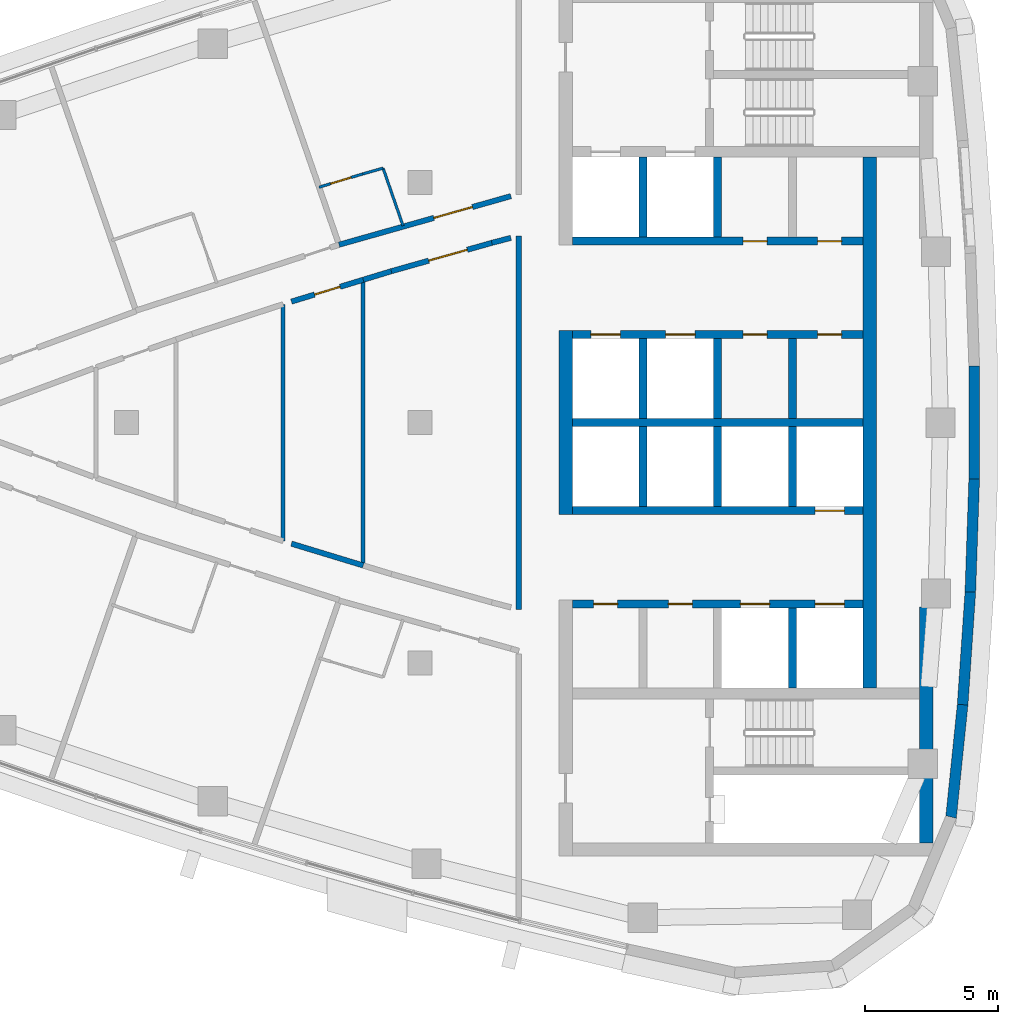
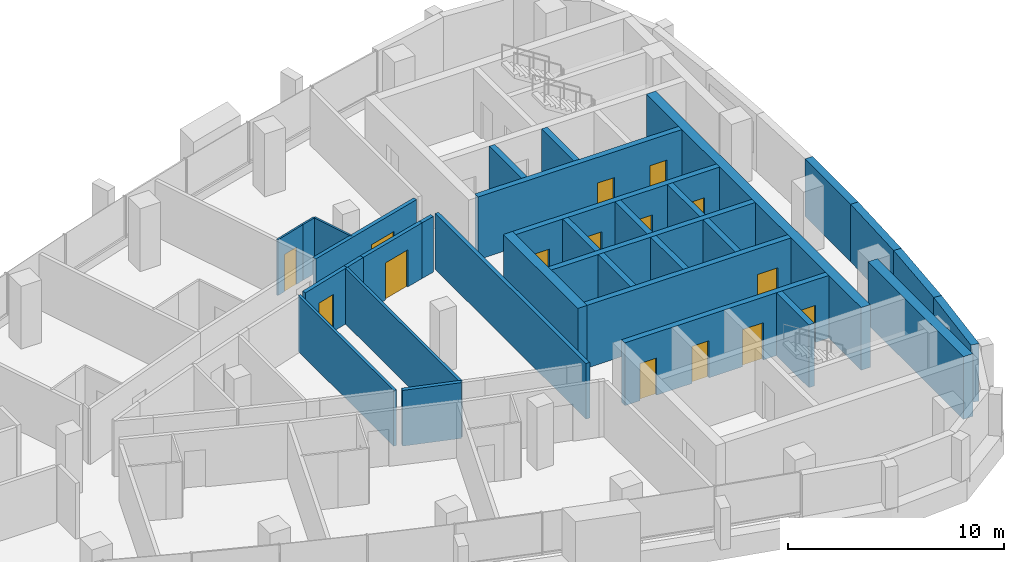
# One storey, part 9 of 14: 33 walls, 15 doors, 15 openings.
"""IFC4 building model written with IfcOpenShell, lengths in metres."""

from ifc_helpers import new_model, si_unit, direction, frame, frame_2d, origin, place, context, subcontext, project, spatial, polyline, rectangle, outline, extrude, material, layer, layer_set, type_object, element, fill, save


model = new_model("IFC4")

# Units and contexts
model_context = context("Model", 3, precision=1e-05, world=origin(), true_north=direction((0.0, 1.0)))
body_context = subcontext(model_context, "Body", "Model", "MODEL_VIEW")
ifc_project = project(units=[si_unit("LENGTHUNIT", "METRE"), si_unit("AREAUNIT", "SQUARE_METRE"), si_unit("VOLUMEUNIT", "CUBIC_METRE"), si_unit("PLANEANGLEUNIT", "RADIAN"), si_unit("MASSUNIT", "GRAM", prefix="KILO")], contexts=[model_context])

# Site, building, storey
site_placement = place(None, origin())
site = spatial("IfcSite", under=ifc_project, at=site_placement, CompositionType="ELEMENT")
building_placement = place(site_placement, origin())
building = spatial("IfcBuilding", under=site, at=building_placement, Name="Ostrand Prow Hotel Tower", CompositionType="ELEMENT")
storey_placement = place(building_placement, frame((0.0, 0.0, 299.85009765625)))
storey = spatial("IfcBuildingStorey", under=building, at=storey_placement, Name="L76", CompositionType="ELEMENT", Elevation=299.85009765625)

# Wall
ifc_material_1 = material(Name="Concrete C50/60", Category="concrete")
ifc_layer_1 = layer(ifc_material_1, 0.300048828125)
ifc_layer_set_1 = layer_set([ifc_layer_1], Name="Concrete C50/60")
wall_type_1 = type_object("IfcWallType", Name="Core wall 300 C50/60", PredefinedType="SHEAR", material=ifc_layer_set_1)
wall_1_placement = place(storey_placement, frame((50.699951171875, 0.0, 0.0), z_axis=(0.0, 0.0, 1.0), x_axis=(1.0, 0.0, 0.0)))
element("IfcWall", 1, at=wall_1_placement, inside=storey, type_object=wall_type_1, Name="Core wall PW-C", PredefinedType="SHEAR", context=body_context, shape_type="SweptSolid", body=[
    extrude(rectangle(XDim=10.900146484375, YDim=0.300048828125, at=frame_2d((5.4501953125, 0.0))), origin(), (0.0, 0.0, 1.0), 3.5498046875),
])

# Wall, openings, doors
wall_2_placement = place(storey_placement, frame((50.699951171875, 3.300048828125, 0.0), z_axis=(0.0, 0.0, 1.0), x_axis=(1.0, 0.0, 0.0)))
wall_2 = element("IfcWall", 2, at=wall_2_placement, inside=storey, type_object=wall_type_1, Name="Core wall PW-L1-N", PredefinedType="SHEAR", context=body_context, shape_type="SweptSolid", body=[
    extrude(rectangle(XDim=10.900146484375, YDim=0.300048828125, at=frame_2d((5.4501953125, 0.0))), origin(), (0.0, 0.0, 1.0), 3.5498046875),
])
opening_1_placement = place(wall_2_placement, frame((0.699951171875, 0.0, 0.0)))
opening_1 = element("IfcOpeningElement", 3, at=opening_1_placement, cuts=wall_2, Name="Opening LD", PredefinedType="OPENING", context=body_context, shape_type="SweptSolid", body=[
    extrude(rectangle(XDim=1.10009765625, YDim=2.10009765625, at=frame_2d((0.550048828125, 1.050048828125))), frame((0.0, 0.159912109375, 0.0), z_axis=(0.0, -1.0, 0.0), x_axis=(1.0, 0.0, 0.0)), (0.0, 0.0, 1.0), 0.320068359375),
])
opening_2_placement = place(wall_2_placement, frame((3.5, 0.0, 0.0)))
opening_2 = element("IfcOpeningElement", 4, at=opening_2_placement, cuts=wall_2, Name="Opening LD", PredefinedType="OPENING", context=body_context, shape_type="SweptSolid", body=[
    extrude(rectangle(XDim=1.10009765625, YDim=2.10009765625, at=frame_2d((0.550048828125, 1.050048828125))), frame((0.0, 0.159912109375, 0.0), z_axis=(0.0, -1.0, 0.0), x_axis=(1.0, 0.0, 0.0)), (0.0, 0.0, 1.0), 0.320068359375),
])
opening_3_placement = place(wall_2_placement, frame((6.39990234375, 0.0, 0.0)))
opening_3 = element("IfcOpeningElement", 5, at=opening_3_placement, cuts=wall_2, Name="Opening FD2", PredefinedType="OPENING", context=body_context, shape_type="SweptSolid", body=[
    extrude(rectangle(XDim=0.89990234375, YDim=2.10009765625, at=frame_2d((0.449951171875, 1.050048828125))), frame((0.0, 0.159912109375, 0.0), z_axis=(0.0, -1.0, 0.0), x_axis=(1.0, 0.0, 0.0)), (0.0, 0.0, 1.0), 0.320068359375),
])
opening_4_placement = place(wall_2_placement, frame((9.199951171875, 0.0, 0.0)))
opening_4 = element("IfcOpeningElement", 6, at=opening_4_placement, cuts=wall_2, Name="Opening FD2", PredefinedType="OPENING", context=body_context, shape_type="SweptSolid", body=[
    extrude(rectangle(XDim=0.89990234375, YDim=2.10009765625, at=frame_2d((0.449951171875, 1.050048828125))), frame((0.0, 0.159912109375, 0.0), z_axis=(0.0, -1.0, 0.0), x_axis=(1.0, 0.0, 0.0)), (0.0, 0.0, 1.0), 0.320068359375),
])
ifc_material_2 = material(Name="Steel fire door", Category="steel")
door_type_1 = type_object("IfcDoorType", Name="Fire door 900 EI120", OperationType="SINGLE_SWING_LEFT", PredefinedType="DOOR", material=ifc_material_2)
door_1_placement = place(opening_3_placement, origin())
door_1 = element("IfcDoor", 7, at=door_1_placement, inside=storey, type_object=door_type_1, Name="DOOR", OperationType="SINGLE_SWING_LEFT", OverallHeight=2.10009765625, OverallWidth=0.89990234375, PredefinedType="DOOR", context=body_context, shape_type="SweptSolid", body=[
    extrude(rectangle(XDim=0.89990234375, YDim=2.10009765625, at=frame_2d((0.449951171875, 1.050048828125))), frame((0.0, 0.02490234375, 0.0), z_axis=(0.0, -1.0, 0.0), x_axis=(1.0, 0.0, 0.0)), (0.0, 0.0, 1.0), 0.050048828125),
])
fill(opening_3, door_1)
door_2_placement = place(opening_4_placement, origin())
door_2 = element("IfcDoor", 8, at=door_2_placement, inside=storey, type_object=door_type_1, Name="DOOR", OperationType="SINGLE_SWING_LEFT", OverallHeight=2.10009765625, OverallWidth=0.89990234375, PredefinedType="DOOR", context=body_context, shape_type="SweptSolid", body=[
    extrude(rectangle(XDim=0.89990234375, YDim=2.10009765625, at=frame_2d((0.449951171875, 1.050048828125))), frame((0.0, 0.02490234375, 0.0), z_axis=(0.0, -1.0, 0.0), x_axis=(1.0, 0.0, 0.0)), (0.0, 0.0, 1.0), 0.050048828125),
])
fill(opening_4, door_2)
ifc_material_3 = material(Name="Stainless steel door", Category="steel")
door_type_2 = type_object("IfcDoorType", Name="Lift landing door 1100", OperationType="DOUBLE_DOOR_SLIDING", PredefinedType="DOOR", material=ifc_material_3)
door_3_placement = place(opening_1_placement, origin())
door_3 = element("IfcDoor", 9, at=door_3_placement, inside=storey, type_object=door_type_2, Name="LIFT LANDING DOOR", OperationType="DOUBLE_DOOR_SLIDING", OverallHeight=2.10009765625, OverallWidth=1.10009765625, PredefinedType="DOOR", context=body_context, shape_type="SweptSolid", body=[
    extrude(rectangle(XDim=1.10009765625, YDim=2.10009765625, at=frame_2d((0.550048828125, 1.050048828125))), frame((0.0, 0.02490234375, 0.0), z_axis=(0.0, -1.0, 0.0), x_axis=(1.0, 0.0, 0.0)), (0.0, 0.0, 1.0), 0.050048828125),
])
fill(opening_1, door_3)
door_4_placement = place(opening_2_placement, origin())
door_4 = element("IfcDoor", 10, at=door_4_placement, inside=storey, type_object=door_type_2, Name="LIFT LANDING DOOR", OperationType="DOUBLE_DOOR_SLIDING", OverallHeight=2.10009765625, OverallWidth=1.10009765625, PredefinedType="DOOR", context=body_context, shape_type="SweptSolid", body=[
    extrude(rectangle(XDim=1.10009765625, YDim=2.10009765625, at=frame_2d((0.550048828125, 1.050048828125))), frame((0.0, 0.02490234375, 0.0), z_axis=(0.0, -1.0, 0.0), x_axis=(1.0, 0.0, 0.0)), (0.0, 0.0, 1.0), 0.050048828125),
])
fill(opening_2, door_4)

wall_3_placement = place(storey_placement, frame((50.699951171875, 6.800048828125, 0.0), z_axis=(0.0, 0.0, 1.0), x_axis=(1.0, 0.0, 0.0)))
wall_3 = element("IfcWall", 11, at=wall_3_placement, inside=storey, type_object=wall_type_1, Name="Core wall PW-L2-N", PredefinedType="SHEAR", context=body_context, shape_type="SweptSolid", body=[
    extrude(rectangle(XDim=10.900146484375, YDim=0.300048828125, at=frame_2d((5.4501953125, 0.0))), origin(), (0.0, 0.0, 1.0), 3.5498046875),
])
opening_5_placement = place(wall_3_placement, frame((6.39990234375, 0.0, 0.0)))
opening_5 = element("IfcOpeningElement", 12, at=opening_5_placement, cuts=wall_3, Name="Opening FD2", PredefinedType="OPENING", context=body_context, shape_type="SweptSolid", body=[
    extrude(rectangle(XDim=0.89990234375, YDim=2.10009765625, at=frame_2d((0.449951171875, 1.050048828125))), frame((0.0, 0.159912109375, 0.0), z_axis=(0.0, -1.0, 0.0), x_axis=(1.0, 0.0, 0.0)), (0.0, 0.0, 1.0), 0.320068359375),
])
opening_6_placement = place(wall_3_placement, frame((9.199951171875, 0.0, 0.0)))
opening_6 = element("IfcOpeningElement", 13, at=opening_6_placement, cuts=wall_3, Name="Opening FD2", PredefinedType="OPENING", context=body_context, shape_type="SweptSolid", body=[
    extrude(rectangle(XDim=0.89990234375, YDim=2.10009765625, at=frame_2d((0.449951171875, 1.050048828125))), frame((0.0, 0.159912109375, 0.0), z_axis=(0.0, -1.0, 0.0), x_axis=(1.0, 0.0, 0.0)), (0.0, 0.0, 1.0), 0.320068359375),
])
door_5_placement = place(opening_5_placement, origin())
door_5 = element("IfcDoor", 14, at=door_5_placement, inside=storey, type_object=door_type_1, Name="DOOR", OperationType="SINGLE_SWING_LEFT", OverallHeight=2.10009765625, OverallWidth=0.89990234375, PredefinedType="DOOR", context=body_context, shape_type="SweptSolid", body=[
    extrude(rectangle(XDim=0.89990234375, YDim=2.10009765625, at=frame_2d((0.449951171875, 1.050048828125))), frame((0.0, 0.02490234375, 0.0), z_axis=(0.0, -1.0, 0.0), x_axis=(1.0, 0.0, 0.0)), (0.0, 0.0, 1.0), 0.050048828125),
])
fill(opening_5, door_5)
door_6_placement = place(opening_6_placement, origin())
door_6 = element("IfcDoor", 15, at=door_6_placement, inside=storey, type_object=door_type_1, Name="DOOR", OperationType="SINGLE_SWING_LEFT", OverallHeight=2.10009765625, OverallWidth=0.89990234375, PredefinedType="DOOR", context=body_context, shape_type="SweptSolid", body=[
    extrude(rectangle(XDim=0.89990234375, YDim=2.10009765625, at=frame_2d((0.449951171875, 1.050048828125))), frame((0.0, 0.02490234375, 0.0), z_axis=(0.0, -1.0, 0.0), x_axis=(1.0, 0.0, 0.0)), (0.0, 0.0, 1.0), 0.050048828125),
])
fill(opening_6, door_6)

# Walls
for number, where, z_axis, x_axis, name in (
    (16, (53.35009765625, 0.14990234375, 0.0), (0.0, 0.0, 1.0), (0.0, 1.0, 0.0), "Core wall PW-R1-NB"),
    (17, (53.35009765625, 6.949951171875, 0.0), (0.0, 0.0, 1.0), (0.0, 1.0, 0.0), "Core wall PW-R1-NA"),
    (18, (56.14990234375, 0.14990234375, 0.0), (0.0, 0.0, 1.0), (0.0, 1.0, 0.0), "Core wall PW-R2-NB"),
    (19, (56.14990234375, 6.949951171875, 0.0), (0.0, 0.0, 1.0), (0.0, 1.0, 0.0), "Core wall PW-R2-NA"),
    (20, (58.949951171875, 0.14990234375, 0.0), (0.0, 0.0, 1.0), (0.0, 1.0, 0.0), "Core wall PW-R3-NB"),
):
    element("IfcWall", number, at=place(storey_placement, frame(where, z_axis=z_axis, x_axis=x_axis)), inside=storey, type_object=wall_type_1, Name=name, PredefinedType="SHEAR", context=body_context, shape_type="SweptSolid", body=[
        extrude(rectangle(XDim=3.0, YDim=0.300048828125, at=frame_2d((1.5, 0.0))), origin(), (0.0, 0.0, 1.0), 3.5498046875),
    ])

# Wall, opening, door
wall_4_placement = place(storey_placement, frame((50.699951171875, -3.300048828125, 0.0), z_axis=(0.0, 0.0, 1.0), x_axis=(1.0, 0.0, 0.0)))
wall_4 = element("IfcWall", 21, at=wall_4_placement, inside=storey, type_object=wall_type_1, Name="Core wall PW-L1-S", PredefinedType="SHEAR", context=body_context, shape_type="SweptSolid", body=[
    extrude(rectangle(XDim=10.900146484375, YDim=0.300048828125, at=frame_2d((5.4501953125, 0.0))), origin(), (0.0, 0.0, 1.0), 3.5498046875),
])
opening_7_placement = place(wall_4_placement, frame((9.10009765625, 0.0, 0.0)))
opening_7 = element("IfcOpeningElement", 22, at=opening_7_placement, cuts=wall_4, Name="Opening LD", PredefinedType="OPENING", context=body_context, shape_type="SweptSolid", body=[
    extrude(rectangle(XDim=1.10009765625, YDim=2.10009765625, at=frame_2d((0.550048828125, 1.050048828125))), frame((0.0, 0.159912109375, 0.0), z_axis=(0.0, -1.0, 0.0), x_axis=(1.0, 0.0, 0.0)), (0.0, 0.0, 1.0), 0.320068359375),
])
door_7_placement = place(opening_7_placement, origin())
door_7 = element("IfcDoor", 23, at=door_7_placement, inside=storey, type_object=door_type_2, Name="LIFT LANDING DOOR", OperationType="DOUBLE_DOOR_SLIDING", OverallHeight=2.10009765625, OverallWidth=1.10009765625, PredefinedType="DOOR", context=body_context, shape_type="SweptSolid", body=[
    extrude(rectangle(XDim=1.10009765625, YDim=2.10009765625, at=frame_2d((0.550048828125, 1.050048828125))), frame((0.0, 0.02490234375, 0.0), z_axis=(0.0, -1.0, 0.0), x_axis=(1.0, 0.0, 0.0)), (0.0, 0.0, 1.0), 0.050048828125),
])
fill(opening_7, door_7)

# Wall, openings, doors
wall_5_placement = place(storey_placement, frame((50.699951171875, -6.800048828125, 0.0), z_axis=(0.0, 0.0, 1.0), x_axis=(1.0, 0.0, 0.0)))
wall_5 = element("IfcWall", 24, at=wall_5_placement, inside=storey, type_object=wall_type_1, Name="Core wall PW-L2-S", PredefinedType="SHEAR", context=body_context, shape_type="SweptSolid", body=[
    extrude(rectangle(XDim=10.900146484375, YDim=0.300048828125, at=frame_2d((5.4501953125, 0.0))), origin(), (0.0, 0.0, 1.0), 3.5498046875),
])
opening_8_placement = place(wall_5_placement, frame((6.300048828125, 0.0, 0.0)))
opening_8 = element("IfcOpeningElement", 25, at=opening_8_placement, cuts=wall_5, Name="Opening LD", PredefinedType="OPENING", context=body_context, shape_type="SweptSolid", body=[
    extrude(rectangle(XDim=1.10009765625, YDim=2.10009765625, at=frame_2d((0.550048828125, 1.050048828125))), frame((0.0, 0.159912109375, 0.0), z_axis=(0.0, -1.0, 0.0), x_axis=(1.0, 0.0, 0.0)), (0.0, 0.0, 1.0), 0.320068359375),
])
opening_9_placement = place(wall_5_placement, frame((9.10009765625, 0.0, 0.0)))
opening_9 = element("IfcOpeningElement", 26, at=opening_9_placement, cuts=wall_5, Name="Opening LD", PredefinedType="OPENING", context=body_context, shape_type="SweptSolid", body=[
    extrude(rectangle(XDim=1.10009765625, YDim=2.10009765625, at=frame_2d((0.550048828125, 1.050048828125))), frame((0.0, 0.159912109375, 0.0), z_axis=(0.0, -1.0, 0.0), x_axis=(1.0, 0.0, 0.0)), (0.0, 0.0, 1.0), 0.320068359375),
])
opening_10_placement = place(wall_5_placement, frame((0.800048828125, 0.0, 0.0)))
opening_10 = element("IfcOpeningElement", 27, at=opening_10_placement, cuts=wall_5, Name="Opening FD2", PredefinedType="OPENING", context=body_context, shape_type="SweptSolid", body=[
    extrude(rectangle(XDim=0.89990234375, YDim=2.10009765625, at=frame_2d((0.449951171875, 1.050048828125))), frame((0.0, 0.159912109375, 0.0), z_axis=(0.0, -1.0, 0.0), x_axis=(1.0, 0.0, 0.0)), (0.0, 0.0, 1.0), 0.320068359375),
])
opening_11_placement = place(wall_5_placement, frame((3.60009765625, 0.0, 0.0)))
opening_11 = element("IfcOpeningElement", 28, at=opening_11_placement, cuts=wall_5, Name="Opening FD2", PredefinedType="OPENING", context=body_context, shape_type="SweptSolid", body=[
    extrude(rectangle(XDim=0.89990234375, YDim=2.10009765625, at=frame_2d((0.449951171875, 1.050048828125))), frame((0.0, 0.159912109375, 0.0), z_axis=(0.0, -1.0, 0.0), x_axis=(1.0, 0.0, 0.0)), (0.0, 0.0, 1.0), 0.320068359375),
])
door_8_placement = place(opening_10_placement, origin())
door_8 = element("IfcDoor", 29, at=door_8_placement, inside=storey, type_object=door_type_1, Name="DOOR", OperationType="SINGLE_SWING_LEFT", OverallHeight=2.10009765625, OverallWidth=0.89990234375, PredefinedType="DOOR", context=body_context, shape_type="SweptSolid", body=[
    extrude(rectangle(XDim=0.89990234375, YDim=2.10009765625, at=frame_2d((0.449951171875, 1.050048828125))), frame((0.0, 0.02490234375, 0.0), z_axis=(0.0, -1.0, 0.0), x_axis=(1.0, 0.0, 0.0)), (0.0, 0.0, 1.0), 0.050048828125),
])
fill(opening_10, door_8)
door_9_placement = place(opening_11_placement, origin())
door_9 = element("IfcDoor", 30, at=door_9_placement, inside=storey, type_object=door_type_1, Name="DOOR", OperationType="SINGLE_SWING_LEFT", OverallHeight=2.10009765625, OverallWidth=0.89990234375, PredefinedType="DOOR", context=body_context, shape_type="SweptSolid", body=[
    extrude(rectangle(XDim=0.89990234375, YDim=2.10009765625, at=frame_2d((0.449951171875, 1.050048828125))), frame((0.0, 0.02490234375, 0.0), z_axis=(0.0, -1.0, 0.0), x_axis=(1.0, 0.0, 0.0)), (0.0, 0.0, 1.0), 0.050048828125),
])
fill(opening_11, door_9)
door_10_placement = place(opening_8_placement, origin())
door_10 = element("IfcDoor", 31, at=door_10_placement, inside=storey, type_object=door_type_2, Name="LIFT LANDING DOOR", OperationType="DOUBLE_DOOR_SLIDING", OverallHeight=2.10009765625, OverallWidth=1.10009765625, PredefinedType="DOOR", context=body_context, shape_type="SweptSolid", body=[
    extrude(rectangle(XDim=1.10009765625, YDim=2.10009765625, at=frame_2d((0.550048828125, 1.050048828125))), frame((0.0, 0.02490234375, 0.0), z_axis=(0.0, -1.0, 0.0), x_axis=(1.0, 0.0, 0.0)), (0.0, 0.0, 1.0), 0.050048828125),
])
fill(opening_8, door_10)
door_11_placement = place(opening_9_placement, origin())
door_11 = element("IfcDoor", 32, at=door_11_placement, inside=storey, type_object=door_type_2, Name="LIFT LANDING DOOR", OperationType="DOUBLE_DOOR_SLIDING", OverallHeight=2.10009765625, OverallWidth=1.10009765625, PredefinedType="DOOR", context=body_context, shape_type="SweptSolid", body=[
    extrude(rectangle(XDim=1.10009765625, YDim=2.10009765625, at=frame_2d((0.550048828125, 1.050048828125))), frame((0.0, 0.02490234375, 0.0), z_axis=(0.0, -1.0, 0.0), x_axis=(1.0, 0.0, 0.0)), (0.0, 0.0, 1.0), 0.050048828125),
])
fill(opening_9, door_11)

# Walls
for number, where, z_axis, x_axis, name in (
    (33, (53.35009765625, -3.14990234375, 0.0), (0.0, 0.0, 1.0), (0.0, 1.0, 0.0), "Core wall PW-R1-SB"),
    (34, (56.14990234375, -3.14990234375, 0.0), (0.0, 0.0, 1.0), (0.0, 1.0, 0.0), "Core wall PW-R2-SB"),
    (35, (58.949951171875, -3.14990234375, 0.0), (0.0, 0.0, 1.0), (0.0, 1.0, 0.0), "Core wall PW-R3-SB"),
    (36, (58.949951171875, -9.949951171875, 0.0), (0.0, 0.0, 1.0), (0.0, 1.0, 0.0), "Core wall PW-R3-SA"),
):
    element("IfcWall", number, at=place(storey_placement, frame(where, z_axis=z_axis, x_axis=x_axis)), inside=storey, type_object=wall_type_1, Name=name, PredefinedType="SHEAR", context=body_context, shape_type="SweptSolid", body=[
        extrude(rectangle(XDim=3.0, YDim=0.300048828125, at=frame_2d((1.5, 0.0))), origin(), (0.0, 0.0, 1.0), 3.5498046875),
    ])
ifc_material_4 = material(Name="Concrete C50/60", Category="concrete")
ifc_layer_2 = layer(ifc_material_4, 0.5)
ifc_layer_set_2 = layer_set([ifc_layer_2], Name="Concrete C50/60")
wall_type_2 = type_object("IfcWallType", Name="Core wall 500 C50/60", PredefinedType="SHEAR", material=ifc_layer_set_2)
wall_6_placement = place(storey_placement, frame((50.449951171875, -3.449951171875, 0.0), z_axis=(0.0, 0.0, 1.0), x_axis=(0.0, 1.0, 0.0)))
element("IfcWall", 37, at=wall_6_placement, inside=storey, type_object=wall_type_2, Name="Core wall CW-W-C", PredefinedType="SHEAR", context=body_context, shape_type="SweptSolid", body=[
    extrude(rectangle(XDim=6.89990234375, YDim=0.5, at=frame_2d((3.449951171875, 0.0))), origin(), (0.0, 0.0, 1.0), 3.5498046875),
])
wall_7_placement = place(storey_placement, frame((63.969970703125, -15.75, 0.0), z_axis=(0.0, 0.0, 1.0), x_axis=(0.0, 1.0, 0.0)))
element("IfcWall", 38, at=wall_7_placement, inside=storey, type_object=wall_type_2, Name="Core wall CW-E-S", PredefinedType="SHEAR", context=body_context, shape_type="SweptSolid", body=[
    extrude(rectangle(XDim=8.8466796875, YDim=0.5, at=frame_2d((4.42333984375, 0.0))), origin(), (0.0, 0.0, 1.0), 3.5498046875),
])
wall_8_placement = place(storey_placement, frame((61.85009765625, -9.949951171875, 0.0), z_axis=(0.0, 0.0, 1.0), x_axis=(0.0, 1.0, 0.0)))
element("IfcWall", 39, at=wall_8_placement, inside=storey, type_object=wall_type_2, Name="Core wall CW-E-C", PredefinedType="SHEAR", context=body_context, shape_type="SweptSolid", body=[
    extrude(rectangle(XDim=19.89990234375, YDim=0.5, at=frame_2d((9.949951171875, 0.0))), origin(), (0.0, 0.0, 1.0), 3.5498046875),
])

# Wall, opening, door
ifc_material_5 = material(Name="Plasterboard partition")
ifc_layer_3 = layer(ifc_material_5, 0.10009765625)
ifc_layer_set_3 = layer_set([ifc_layer_3], Name="Plasterboard partition")
wall_type_3 = type_object("IfcWallType", Name="Partition 100 bathroom wall", PredefinedType="PARTITIONING", material=ifc_layer_set_3)
wall_9_placement = place(storey_placement, frame((41.2109375, 8.822998046875, 0.0), z_axis=(0.0, 0.0, 1.0), x_axis=(0.95674463014, 0.290929050971, 0.0)))
wall_9 = element("IfcWall", 40, at=wall_9_placement, inside=storey, type_object=wall_type_3, Name="BATHROOM WALL", PredefinedType="PARTITIONING", context=body_context, shape_type="SweptSolid", body=[
    extrude(rectangle(XDim=1.712646484375, YDim=0.10009765625, at=frame_2d((0.8564453125, 0.0))), origin(), (0.0, 0.0, 1.0), 3.14990234375),
])
opening_12_placement = place(wall_9_placement, frame((0.449951171875, 0.0, 0.0)))
opening_12 = element("IfcOpeningElement", 41, at=opening_12_placement, cuts=wall_9, Name="Opening D2", PredefinedType="OPENING", context=body_context, shape_type="SweptSolid", body=[
    extrude(rectangle(XDim=0.800048828125, YDim=2.10009765625, at=frame_2d((0.39990234375, 1.050048828125))), frame((0.0, 0.06005859375, 0.0), z_axis=(0.0, -1.0, 0.0), x_axis=(1.0, 0.0, 0.0)), (0.0, 0.0, 1.0), 0.1201171875),
])
ifc_material_6 = material(Name="Timber door leaf", Category="wood")
door_type_3 = type_object("IfcDoorType", Name="Bathroom door 800", OperationType="SINGLE_SWING_LEFT", PredefinedType="DOOR", material=ifc_material_6)
door_12_placement = place(opening_12_placement, origin())
door_12 = element("IfcDoor", 42, at=door_12_placement, inside=storey, type_object=door_type_3, Name="DOOR", OperationType="SINGLE_SWING_LEFT", OverallHeight=2.10009765625, OverallWidth=0.800048828125, PredefinedType="DOOR", context=body_context, shape_type="SweptSolid", body=[
    extrude(rectangle(XDim=0.800048828125, YDim=2.10009765625, at=frame_2d((0.39990234375, 1.050048828125))), frame((0.0, 0.02490234375, 0.0), z_axis=(0.0, -1.0, 0.0), x_axis=(1.0, 0.0, 0.0)), (0.0, 0.0, 1.0), 0.050048828125),
])
fill(opening_12, door_12)

# Walls
wall_10_placement = place(storey_placement, frame((42.849609375, 9.3212890625, 0.0), z_axis=(0.0, 0.0, 1.0), x_axis=(0.962370937031, 0.271739175603, 0.0)))
element("IfcWall", 43, at=wall_10_placement, inside=storey, type_object=wall_type_3, Name="BATHROOM WALL", PredefinedType="PARTITIONING", context=body_context, shape_type="SweptSolid", body=[
    extrude(rectangle(XDim=0.789794921875, YDim=0.10009765625, at=frame_2d((0.39501953125, 0.0))), origin(), (0.0, 0.0, 1.0), 3.14990234375),
])
wall_11_placement = place(storey_placement, frame((43.609619140625, 9.535888671875, 0.0), z_axis=(0.0, 0.0, 1.0), x_axis=(0.32773175909, -0.944770815639, 0.0)))
element("IfcWall", 44, at=wall_11_placement, inside=storey, type_object=wall_type_3, Name="BATHROOM WALL", PredefinedType="PARTITIONING", context=body_context, shape_type="SweptSolid", body=[
    extrude(rectangle(XDim=2.281005859375, YDim=0.10009765625, at=frame_2d((1.140625, 0.0))), origin(), (0.0, 0.0, 1.0), 3.14990234375),
])
ifc_material_7 = material(Name="Plasterboard partition")
ifc_layer_4 = layer(ifc_material_7, 0.14990234375)
ifc_layer_set_4 = layer_set([ifc_layer_4], Name="Plasterboard partition")
wall_type_4 = type_object("IfcWallType", Name="Partition 150 room partition", PredefinedType="PARTITIONING", material=ifc_layer_set_4)
wall_12_placement = place(storey_placement, frame((39.865966796875, -4.435302734375, 0.0), z_axis=(0.0, 0.0, 1.0), x_axis=(0.0, 1.0, 0.0)))
element("IfcWall", 45, at=wall_12_placement, inside=storey, type_object=wall_type_4, Name="ROOM PARTITION", PredefinedType="PARTITIONING", context=body_context, shape_type="SweptSolid", body=[
    extrude(rectangle(XDim=8.87060546875, YDim=0.14990234375, at=frame_2d((4.435302734375, 0.0))), origin(), (0.0, 0.0, 1.0), 3.14990234375),
])
wall_13_placement = place(storey_placement, frame((42.865966796875, -5.3544921875, 0.0), z_axis=(0.0, 0.0, 1.0), x_axis=(0.0, 1.0, 0.0)))
element("IfcWall", 46, at=wall_13_placement, inside=storey, type_object=wall_type_4, Name="ROOM PARTITION", PredefinedType="PARTITIONING", context=body_context, shape_type="SweptSolid", body=[
    extrude(rectangle(XDim=10.708984375, YDim=0.14990234375, at=frame_2d((5.3544921875, 0.0))), origin(), (0.0, 0.0, 1.0), 3.14990234375),
])

# Wall, opening, door
ifc_material_8 = material(Name="Plasterboard partition")
ifc_layer_5 = layer(ifc_material_8, 0.199951171875)
ifc_layer_set_5 = layer_set([ifc_layer_5], Name="Plasterboard partition")
wall_type_5 = type_object("IfcWallType", Name="Partition 200 corridor wall", PredefinedType="PARTITIONING", material=ifc_layer_set_5)
wall_14_placement = place(storey_placement, frame((40.1748046875, 4.5361328125, 0.0), z_axis=(0.0, 0.0, 1.0), x_axis=(0.956742178936, 0.290937111838, 0.0)))
wall_14 = element("IfcWall", 47, at=wall_14_placement, inside=storey, type_object=wall_type_5, Name="CORRIDOR WALL", PredefinedType="PARTITIONING", context=body_context, shape_type="SweptSolid", body=[
    extrude(rectangle(XDim=2.812744140625, YDim=0.199951171875, at=frame_2d((1.40625, 0.0))), origin(), (0.0, 0.0, 1.0), 3.14990234375),
])
opening_13_placement = place(wall_14_placement, frame((0.906494140625, 0.0, 0.0)))
opening_13 = element("IfcOpeningElement", 48, at=opening_13_placement, cuts=wall_14, Name="Opening D1", PredefinedType="OPENING", context=body_context, shape_type="SweptSolid", body=[
    extrude(rectangle(XDim=1.0, YDim=2.10009765625, at=frame_2d((0.5, 1.050048828125))), frame((0.0, 0.10986328125, 0.0), z_axis=(0.0, -1.0, 0.0), x_axis=(1.0, 0.0, 0.0)), (0.0, 0.0, 1.0), 0.219970703125),
])
ifc_material_9 = material(Name="Timber door leaf", Category="wood")
door_type_4 = type_object("IfcDoorType", Name="Guest room door 1000", OperationType="SINGLE_SWING_LEFT", PredefinedType="DOOR", material=ifc_material_9)
door_13_placement = place(opening_13_placement, origin())
door_13 = element("IfcDoor", 49, at=door_13_placement, inside=storey, type_object=door_type_4, Name="DOOR", OperationType="SINGLE_SWING_LEFT", OverallHeight=2.10009765625, OverallWidth=1.0, PredefinedType="DOOR", context=body_context, shape_type="SweptSolid", body=[
    extrude(rectangle(XDim=1.0, YDim=2.10009765625, at=frame_2d((0.5, 1.050048828125))), frame((0.0, 0.02490234375, 0.0), z_axis=(0.0, -1.0, 0.0), x_axis=(1.0, 0.0, 0.0)), (0.0, 0.0, 1.0), 0.050048828125),
])
fill(opening_13, door_13)

# Wall
wall_15_placement = place(storey_placement, frame((42.865966796875, -5.3544921875, 0.0), z_axis=(0.0, 0.0, 1.0), x_axis=(-0.956742178936, 0.290937111838, 0.0)))
element("IfcWall", 50, at=wall_15_placement, inside=storey, type_object=wall_type_5, Name="CORRIDOR WALL", PredefinedType="PARTITIONING", context=body_context, shape_type="SweptSolid", body=[
    extrude(rectangle(XDim=2.812744140625, YDim=0.199951171875, at=frame_2d((1.40625, 0.0))), origin(), (0.0, 0.0, 1.0), 3.14990234375),
])

# Wall, opening, door
wall_16_placement = place(storey_placement, frame((43.91845703125, 5.6748046875, 0.0), z_axis=(0.0, 0.0, 1.0), x_axis=(0.962411212211, 0.271596499628, 0.0)))
wall_16 = element("IfcWall", 51, at=wall_16_placement, inside=storey, type_object=wall_type_5, Name="CORRIDOR WALL", PredefinedType="PARTITIONING", context=body_context, shape_type="SweptSolid", body=[
    extrude(rectangle(XDim=3.912841796875, YDim=0.199951171875, at=frame_2d((1.95654296875, 0.0))), origin(), (0.0, 0.0, 1.0), 3.14990234375),
])
opening_14_placement = place(wall_16_placement, frame((1.45654296875, 0.0, 0.0)))
opening_14 = element("IfcOpeningElement", 52, at=opening_14_placement, cuts=wall_16, Name="Opening D15", PredefinedType="OPENING", context=body_context, shape_type="SweptSolid", body=[
    extrude(rectangle(XDim=1.5, YDim=2.10009765625, at=frame_2d((0.75, 1.050048828125))), frame((0.0, 0.10986328125, 0.0), z_axis=(0.0, -1.0, 0.0), x_axis=(1.0, 0.0, 0.0)), (0.0, 0.0, 1.0), 0.219970703125),
])
ifc_material_10 = material(Name="Timber door leaf", Category="wood")
door_type_5 = type_object("IfcDoorType", Name="Double door 1500", OperationType="DOUBLE_DOOR_SINGLE_SWING", PredefinedType="DOOR", material=ifc_material_10)
door_14_placement = place(opening_14_placement, origin())
door_14 = element("IfcDoor", 53, at=door_14_placement, inside=storey, type_object=door_type_5, Name="DOOR", OperationType="DOUBLE_DOOR_SINGLE_SWING", OverallHeight=2.10009765625, OverallWidth=1.5, PredefinedType="DOOR", context=body_context, shape_type="SweptSolid", body=[
    extrude(rectangle(XDim=1.5, YDim=2.10009765625, at=frame_2d((0.75, 1.050048828125))), frame((0.0, 0.02490234375, 0.0), z_axis=(0.0, -1.0, 0.0), x_axis=(1.0, 0.0, 0.0)), (0.0, 0.0, 1.0), 0.050048828125),
])
fill(opening_14, door_14)

# Wall
wall_17_placement = place(storey_placement, frame((42.865966796875, 5.3544921875, 0.0), z_axis=(0.0, 0.0, 1.0), x_axis=(0.956676567943, 0.291152785233, 0.0)))
element("IfcWall", 54, at=wall_17_placement, inside=storey, type_object=wall_type_5, Name="CORRIDOR WALL", PredefinedType="PARTITIONING", context=body_context, shape_type="SweptSolid", body=[
    extrude(rectangle(XDim=1.10009765625, YDim=0.199951171875, at=frame_2d((0.550048828125, 0.0))), origin(), (0.0, 0.0, 1.0), 3.14990234375),
])

# Wall, opening, door
wall_18_placement = place(storey_placement, frame((48.39990234375, 8.48828125, 0.0), z_axis=(0.0, 0.0, 1.0), x_axis=(-0.962293631271, -0.272012807081, 0.0)))
wall_18 = element("IfcWall", 55, at=wall_18_placement, inside=storey, type_object=wall_type_5, Name="CORRIDOR WALL", PredefinedType="PARTITIONING", context=body_context, shape_type="SweptSolid", body=[
    extrude(rectangle(XDim=6.69384765625, YDim=0.199951171875, at=frame_2d((3.346923828125, 0.0))), origin(), (0.0, 0.0, 1.0), 3.14990234375),
])
opening_15_placement = place(wall_18_placement, frame((1.5, 0.0, 0.0)))
opening_15 = element("IfcOpeningElement", 56, at=opening_15_placement, cuts=wall_18, Name="Opening D15", PredefinedType="OPENING", context=body_context, shape_type="SweptSolid", body=[
    extrude(rectangle(XDim=1.5, YDim=2.10009765625, at=frame_2d((0.75, 1.050048828125))), frame((0.0, 0.10986328125, 0.0), z_axis=(0.0, -1.0, 0.0), x_axis=(1.0, 0.0, 0.0)), (0.0, 0.0, 1.0), 0.219970703125),
])
door_15_placement = place(opening_15_placement, origin())
door_15 = element("IfcDoor", 57, at=door_15_placement, inside=storey, type_object=door_type_5, Name="DOOR", OperationType="DOUBLE_DOOR_SINGLE_SWING", OverallHeight=2.10009765625, OverallWidth=1.5, PredefinedType="DOOR", context=body_context, shape_type="SweptSolid", body=[
    extrude(rectangle(XDim=1.5, YDim=2.10009765625, at=frame_2d((0.75, 1.050048828125))), frame((0.0, 0.02490234375, 0.0), z_axis=(0.0, -1.0, 0.0), x_axis=(1.0, 0.0, 0.0)), (0.0, 0.0, 1.0), 0.050048828125),
])
fill(opening_15, door_15)

# Walls
wall_19_placement = place(storey_placement, frame((47.684326171875, 6.737548828125, 0.0), z_axis=(0.0, 0.0, 1.0), x_axis=(0.967585713416, 0.252542842294, 0.0)))
element("IfcWall", 58, at=wall_19_placement, inside=storey, type_object=wall_type_5, Name="CORRIDOR WALL", PredefinedType="PARTITIONING", context=body_context, shape_type="SweptSolid", body=[
    extrude(rectangle(XDim=0.739501953125, YDim=0.199951171875, at=frame_2d((0.36962890625, 0.0))), origin(), (0.0, 0.0, 1.0), 3.14990234375),
])
wall_20_placement = place(storey_placement, frame((48.695068359375, 6.995849609375, 0.0), z_axis=(0.0, 0.0, 1.0), x_axis=(0.0, -1.0, 0.0)))
element("IfcWall", 59, at=wall_20_placement, inside=storey, type_object=wall_type_5, Name="CORRIDOR WALL", PredefinedType="PARTITIONING", context=body_context, shape_type="SweptSolid", body=[
    extrude(rectangle(XDim=13.99169921875, YDim=0.199951171875, at=frame_2d((6.995849609375, 0.0))), origin(), (0.0, 0.0, 1.0), 3.14990234375),
])
ifc_material_11 = material(Name="Precast concrete C40/50", Category="concrete")
ifc_layer_6 = layer(ifc_material_11, 0.39990234375)
ifc_layer_set_6 = layer_set([ifc_layer_6], Name="Precast concrete C40/50")
wall_type_6 = type_object("IfcWallType", Name="Stone-faced precast wall 400 mm", PredefinedType="NOTDEFINED", material=ifc_layer_set_6)
wall_21_placement = place(storey_placement, frame((64.898193359375, -14.782470703125, 0.0), z_axis=(0.0, 0.0, 1.0), x_axis=(0.102249826987, 0.994758751096, 0.0)))
element("IfcWall", 60, at=wall_21_placement, inside=storey, type_object=wall_type_6, Name="Stone-faced wall back 5", PredefinedType="NOTDEFINED", context=body_context, shape_type="SweptSolid", body=[
    extrude(outline(polyline([(-0.029541015625, -0.199951171875), (4.23681640625, -0.199951171875), (4.22998046875, 0.199951171875), (0.029541015625, 0.199951171875), (-0.029541015625, -0.199951171875)])), origin(), (0.0, 0.0, 1.0), 3.25),
])
for number, where, z_axis, x_axis, name in (
    (61, (65.3310546875, -10.5712890625, 0.0), (0.0, 0.0, 1.0), (0.068279584479, 0.997666225921, 0.0), "Stone-faced wall back 6"),
    (62, (65.6201171875, -6.34765625, 0.0), (0.0, 0.0, 1.0), (0.034082898699, 0.999419009233, 0.0), "Stone-faced wall back 7"),
    (63, (65.764404296875, -2.11669921875, 0.0), (0.0, 0.0, 1.0), (0.0, 1.0, 0.0), "Stone-faced wall back 8"),
):
    element("IfcWall", number, at=place(storey_placement, frame(where, z_axis=z_axis, x_axis=x_axis)), inside=storey, type_object=wall_type_6, Name=name, PredefinedType="NOTDEFINED", context=body_context, shape_type="SweptSolid", body=[
        extrude(outline(polyline([(-0.00341796875, -0.199951171875), (4.23681640625, -0.199951171875), (4.22998046875, 0.199951171875), (0.00341796875, 0.199951171875), (-0.00341796875, -0.199951171875)])), origin(), (0.0, 0.0, 1.0), 3.25),
    ])

save(model, "model.ifc")
